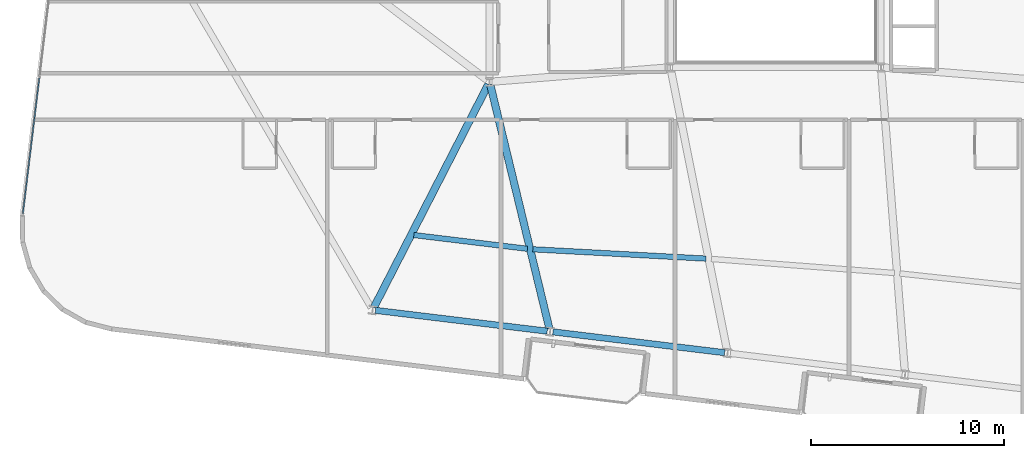
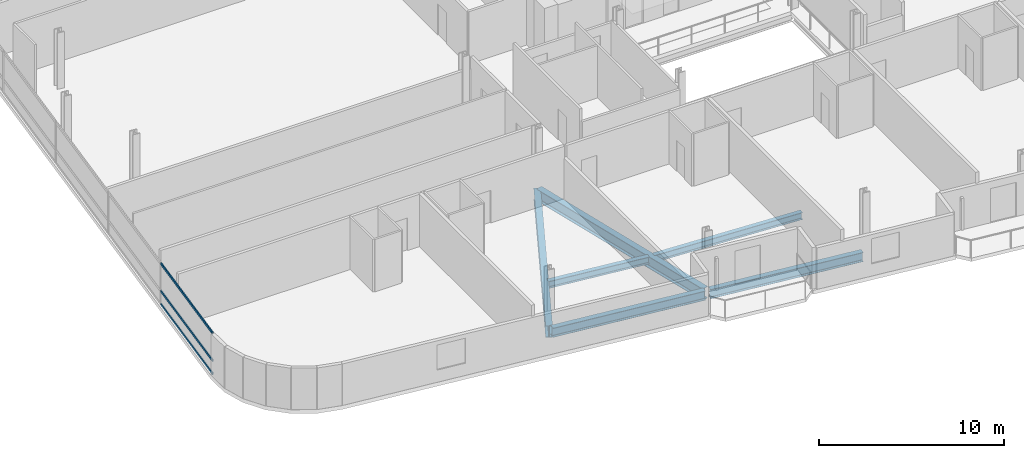
# One storey, part 3 of 26: 6 beams, 3 members, 1 element without a shape of its own.
"""IFC4 building model written with IfcOpenShell, lengths in metres."""

from ifc_helpers import new_model, si_unit, direction, frame, origin, origin_2d, place, context, subcontext, project, spatial, hollow_rectangle, i_section, extrude, material, layer, layer_set, material_profile, profile_set, type_object, element, aggregate, save


model = new_model("IFC4")

# Units and contexts
model_context = context("Model", 3, precision=1e-05, world=origin(), true_north=direction((0.0, 1.0)))
body_context = subcontext(model_context, "Body", "Model", "MODEL_VIEW")
ifc_project = project(units=[si_unit("LENGTHUNIT", "METRE"), si_unit("AREAUNIT", "SQUARE_METRE"), si_unit("VOLUMEUNIT", "CUBIC_METRE"), si_unit("PLANEANGLEUNIT", "RADIAN"), si_unit("MASSUNIT", "GRAM", prefix="KILO")], contexts=[model_context])

# Site, building, storey
site_placement = place(None, origin())
site = spatial("IfcSite", under=ifc_project, at=site_placement, CompositionType="ELEMENT")
building_placement = place(site_placement, origin())
building = spatial("IfcBuilding", under=site, at=building_placement, Name="Varnelok Gate Tower", CompositionType="ELEMENT")
storey_placement = place(building_placement, frame((0.0, 0.0, 147.60009765625)))
storey = spatial("IfcBuildingStorey", under=building, at=storey_placement, Name="L37", CompositionType="ELEMENT", Elevation=147.60009765625)

# Beams
ifc_material_1 = material(Name="Structural Steel ASTM A992 Grade 50", Category="steel")
ifc_material_profile_1 = material_profile(ifc_material_1, i_section(OverallWidth=0.280029296875, OverallDepth=0.462890625, WebThickness=0.0107421875, FlangeThickness=0.017333984375, FilletRadius=0.014892578125, at=origin_2d()), Name="W18X76")
ifc_profile_set_1 = profile_set([ifc_material_profile_1], Name="Structural Steel ASTM A992 Grade 50")
beam_type_1 = type_object("IfcBeamType", Name="BM-JST-W18X76", PredefinedType="JOIST", material=ifc_profile_set_1)
beam_1_placement = place(storey_placement, frame((20.482666015625, 10.875, -0.481689453125), z_axis=(0.992731840387, -0.120347385022, 0.0), x_axis=(0.120347385022, 0.992731840387, 0.0)))
element("IfcBeam", 1, at=beam_1_placement, inside=storey, type_object=beam_type_1, Name="L37 Sector Floor Joist 1", PredefinedType="JOIST", context=body_context, shape_type="SweptSolid", body=[
    extrude(i_section(OverallWidth=0.280029296875, OverallDepth=0.462890625, WebThickness=0.0107421875, FlangeThickness=0.017333984375, FilletRadius=0.014892578125, at=origin_2d()), origin(), (0.0, 0.0, 1.0), 5.91748046875),
])
beam_2_placement = place(storey_placement, frame((26.635986328125, 10.138427734375, -0.481689453125), z_axis=(0.998547263771, -0.053882854557, 0.0), x_axis=(0.053882854557, 0.998547263771, 0.0)))
element("IfcBeam", 2, at=beam_2_placement, inside=storey, type_object=beam_type_1, Name="L37 Sector Floor Joist 2", PredefinedType="JOIST", context=body_context, shape_type="SweptSolid", body=[
    extrude(i_section(OverallWidth=0.280029296875, OverallDepth=0.462890625, WebThickness=0.0107421875, FlangeThickness=0.017333984375, FilletRadius=0.014892578125, at=origin_2d()), origin(), (0.0, 0.0, 1.0), 8.97119140625),
])
ifc_material_profile_2 = material_profile(ifc_material_1, i_section(OverallWidth=0.381103515625, OverallDepth=0.77294921875, WebThickness=0.0166015625, FlangeThickness=0.027099609375, FilletRadius=0.02197265625, at=origin_2d()), Name="W30X173")
ifc_profile_set_2 = profile_set([ifc_material_profile_2], Name="Structural Steel ASTM A992 Grade 50")
beam_type_2 = type_object("IfcBeamType", Name="BM-PRI-W30X173", PredefinedType="BEAM", material=ifc_profile_set_2)
beam_3_placement = place(storey_placement, frame((24.33154296875, 18.66650390625, -0.63671875), z_axis=(-0.456386604987, -0.889781583754, 0.0), x_axis=(0.889781583754, -0.456386604987, 0.0)))
element("IfcBeam", 3, at=beam_3_placement, inside=storey, type_object=beam_type_2, Name="L37 Radial Floor Girder 1", PredefinedType="BEAM", context=body_context, shape_type="SweptSolid", body=[
    extrude(i_section(OverallWidth=0.381103515625, OverallDepth=0.77294921875, WebThickness=0.0166015625, FlangeThickness=0.027099609375, FilletRadius=0.02197265625, at=origin_2d()), origin(), (0.0, 0.0, 1.0), 12.96533203125),
])
beam_4_placement = place(storey_placement, frame((24.435302734375, 18.654296875, -0.63671875), z_axis=(0.235400453941, -0.971898465008, 0.0), x_axis=(0.971898465008, 0.235400453941, 0.0)))
element("IfcBeam", 4, at=beam_4_placement, inside=storey, type_object=beam_type_2, Name="L37 Radial Floor Girder 2", PredefinedType="BEAM", context=body_context, shape_type="SweptSolid", body=[
    extrude(i_section(OverallWidth=0.381103515625, OverallDepth=0.77294921875, WebThickness=0.0166015625, FlangeThickness=0.027099609375, FilletRadius=0.02197265625, at=origin_2d()), origin(), (0.0, 0.0, 1.0), 12.989990234375),
])
ifc_material_profile_3 = material_profile(ifc_material_1, i_section(OverallWidth=0.323974609375, OverallDepth=0.611083984375, WebThickness=0.0126953125, FlangeThickness=0.01904296875, FilletRadius=0.01806640625, at=origin_2d()), Name="W24X104")
ifc_profile_set_3 = profile_set([ifc_material_profile_3], Name="Structural Steel ASTM A992 Grade 50")
beam_type_3 = type_object("IfcBeamType", Name="BM-SPN-W24X104", PredefinedType="SPANDREL", material=ifc_profile_set_3)
for number, where, z_axis, x_axis, name in (
    (5, (18.49462890625, 6.978515625, -0.5556640625), (0.992734670707, -0.120324035735, 0.0), (0.120324035735, 0.992734670707, 0.0), "L37 Perimeter Spandrel Beam 1"),
    (6, (27.677490234375, 5.865478515625, -0.5556640625), (0.99273141198, -0.120350918849, 0.0), (0.120350918849, 0.99273141198, 0.0), "L37 Perimeter Spandrel Beam 2"),
):
    element("IfcBeam", number, at=place(storey_placement, frame(where, z_axis=z_axis, x_axis=x_axis)), inside=storey, type_object=beam_type_3, Name=name, PredefinedType="SPANDREL", context=body_context, shape_type="SweptSolid", body=[
        extrude(i_section(OverallWidth=0.323974609375, OverallDepth=0.611083984375, WebThickness=0.0126953125, FlangeThickness=0.01904296875, FilletRadius=0.01806640625, at=origin_2d()), origin(), (0.0, 0.0, 1.0), 8.949951171875),
    ])

# Curtain wall, members
ifc_material_2 = material(Name="Anodized Aluminum Alloy 6063-T6", Category="aluminium")
ifc_layer = layer(ifc_material_2, 0.179931640625)
ifc_layer_set = layer_set([ifc_layer], Name="Anodized Aluminum Alloy 6063-T6")
curtain_wall_type = type_object("IfcCurtainWallType", Name="CW3-HOTEL-VISION", PredefinedType="USERDEFINED", material=ifc_layer_set)
curtain_wall_placement = place(storey_placement, origin())
curtain_wall = element("IfcCurtainWall", 7, at=curtain_wall_placement, inside=storey, type_object=curtain_wall_type, Name="L37 West End Vision Curtain Wall", ObjectType="UNITISED CURTAIN WALL", PredefinedType="USERDEFINED")
ifc_material_profile_4 = material_profile(ifc_material_2, hollow_rectangle(XDim=0.06494140625, YDim=0.159912109375, WallThickness=0.00390625, at=origin_2d()), Name="ALU160X65X4")
ifc_profile_set_4 = profile_set([ifc_material_profile_4], Name="Anodized Aluminum Alloy 6063-T6")
member_type = type_object("IfcMemberType", Name="CW-TRAN-160", PredefinedType="USERDEFINED", material=ifc_profile_set_4)
member_1_placement = place(storey_placement, frame((0.2509765625, 11.955322265625, 0.032470703125), z_axis=(0.120344712857, 0.992732164326, 0.0), x_axis=(-0.992732164326, 0.120344712857, 0.0)))
member_1 = element("IfcMember", 8, at=member_1_placement, type_object=member_type, Name="CW3 transom 1.1", ObjectType="TRANSOM", PredefinedType="USERDEFINED", context=body_context, shape_type="SweptSolid", body=[
    extrude(hollow_rectangle(XDim=0.06494140625, YDim=0.159912109375, WallThickness=0.00390625, at=origin_2d()), origin(), (0.0, 0.0, 1.0), 7.102294921875),
])
member_2_placement = place(storey_placement, frame((0.2509765625, 11.955322265625, 0.89990234375), z_axis=(0.120344712857, 0.992732164326, 0.0), x_axis=(-0.992732164326, 0.120344712857, 0.0)))
member_2 = element("IfcMember", 9, at=member_2_placement, type_object=member_type, Name="CW3 transom 1.2", ObjectType="TRANSOM", PredefinedType="USERDEFINED", context=body_context, shape_type="SweptSolid", body=[
    extrude(hollow_rectangle(XDim=0.06494140625, YDim=0.159912109375, WallThickness=0.00390625, at=origin_2d()), origin(), (0.0, 0.0, 1.0), 7.102294921875),
])
member_3_placement = place(storey_placement, frame((0.2509765625, 11.955322265625, 2.697509765625), z_axis=(0.120344712857, 0.992732164326, 0.0), x_axis=(-0.992732164326, 0.120344712857, 0.0)))
member_3 = element("IfcMember", 10, at=member_3_placement, type_object=member_type, Name="CW3 transom 1.3", ObjectType="TRANSOM", PredefinedType="USERDEFINED", context=body_context, shape_type="SweptSolid", body=[
    extrude(hollow_rectangle(XDim=0.06494140625, YDim=0.159912109375, WallThickness=0.00390625, at=origin_2d()), origin(), (0.0, 0.0, 1.0), 7.102294921875),
])
aggregate(curtain_wall, [member_1, member_2, member_3])

save(model, "model.ifc")
